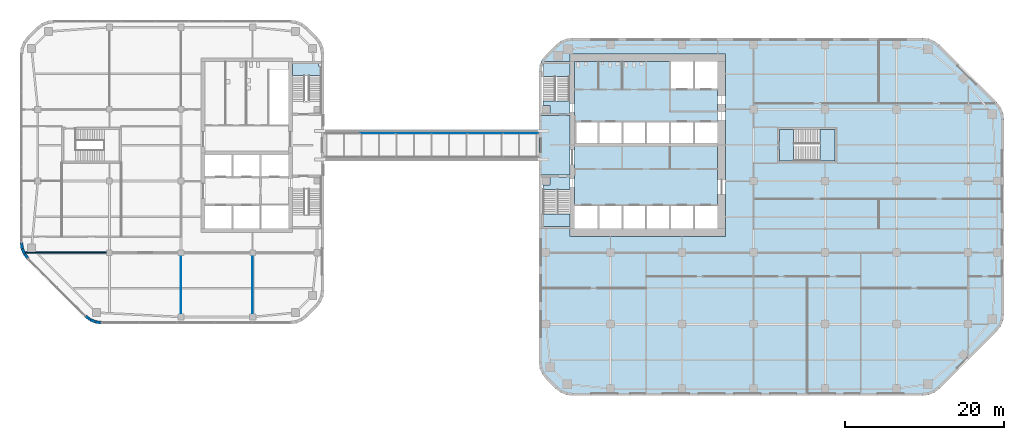
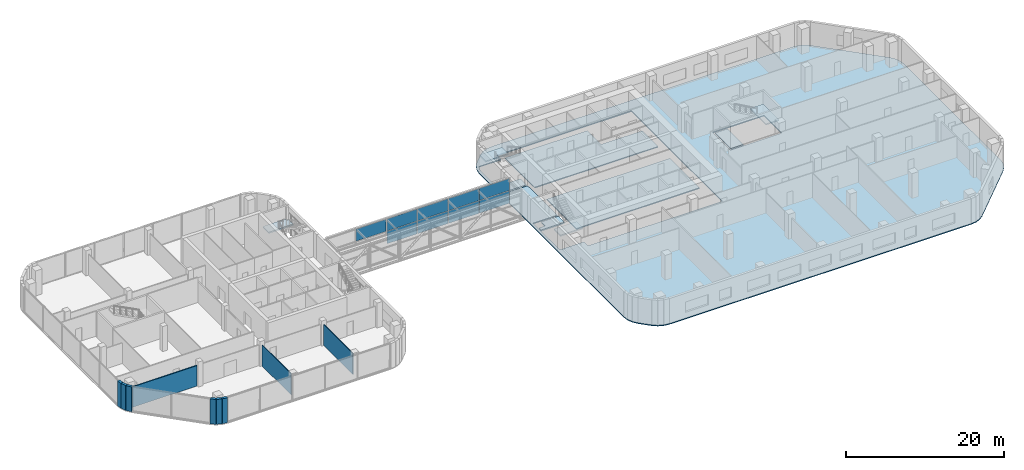
# One storey, part 14 of 24: 10 slabs, 9 plates, 9 walls, 7 elements without a shape of their own.
"""IFC4 building model written with IfcOpenShell, lengths in metres."""

from ifc_helpers import new_model, si_unit, direction, frame, frame_2d, origin, origin_2d, place, context, subcontext, project, spatial, polyline, rectangle, outline, extrude, material, layer, layer_set, type_object, element, aggregate, save


model = new_model("IFC4")

# Units and contexts
model_context = context("Model", 3, precision=1e-05, world=origin(), true_north=direction((0.0, 1.0)))
body_context = subcontext(model_context, "Body", "Model", "MODEL_VIEW")
ifc_project = project(units=[si_unit("LENGTHUNIT", "METRE"), si_unit("AREAUNIT", "SQUARE_METRE"), si_unit("VOLUMEUNIT", "CUBIC_METRE"), si_unit("PLANEANGLEUNIT", "RADIAN"), si_unit("MASSUNIT", "GRAM", prefix="KILO")], contexts=[model_context])

# Site, building, storey
site_placement = place(None, origin())
site = spatial("IfcSite", under=ifc_project, at=site_placement, CompositionType="ELEMENT")
building_placement = place(site_placement, origin())
building = spatial("IfcBuilding", under=site, at=building_placement, Name="Cinnabar Reach Civic Tower", CompositionType="ELEMENT")
storey_placement = place(building_placement, frame((0.0, 0.0, 71.0)))
storey = spatial("IfcBuildingStorey", under=building, at=storey_placement, Name="L16", CompositionType="ELEMENT", Elevation=71.0)

# Curtain wall, plate
ifc_material_1 = material(Name="Aluminium and insulated spandrel panels", Category="aluminium")
curtain_wall_type = type_object("IfcCurtainWallType", Name="Bridge 1 enclosure curtain wall", PredefinedType="NOTDEFINED", material=ifc_material_1)
curtain_wall_1_placement = place(storey_placement, origin())
curtain_wall_1 = element("IfcCurtainWall", 1, at=curtain_wall_1_placement, inside=storey, type_object=curtain_wall_type, Name="Bridge 1 enclosure 4", PredefinedType="NOTDEFINED")
ifc_material_2 = material(Name="Aluminium-faced insulated opaque spandrel panel", Category="aluminium")
ifc_layer_1 = layer(ifc_material_2, 0.028)
ifc_layer_set_1 = layer_set([ifc_layer_1], Name="Bridge 1 enclosure spandrel panel")
plate_type = type_object("IfcPlateType", Name="Bridge 1 enclosure spandrel panel", PredefinedType="USERDEFINED", material=ifc_layer_set_1)
plate_1_placement = place(storey_placement, frame((-20.265, 33.0, 2.03), z_axis=(0.0, 0.0, 1.0), x_axis=(1.0, 0.0, 0.0)))
plate_1 = element("IfcPlate", 2, at=plate_1_placement, type_object=plate_type, Name="CW-BR1-4 panel 2.2", ObjectType="SPANDREL PANEL", PredefinedType="USERDEFINED", context=body_context, shape_type="SweptSolid", body=[
    extrude(rectangle(XDim=4.41, YDim=0.028, at=origin_2d()), origin(), (0.0, 0.0, 1.0), 1.86),
])
aggregate(curtain_wall_1, [plate_1])

# Curtain wall, plates
curtain_wall_2_placement = place(storey_placement, origin())
curtain_wall_2 = element("IfcCurtainWall", 3, at=curtain_wall_2_placement, inside=storey, type_object=curtain_wall_type, Name="Bridge 1 enclosure 5", PredefinedType="NOTDEFINED")
plate_2_placement = place(storey_placement, frame((-15.735, 33.0, 0.06), z_axis=(0.0, 0.0, 1.0), x_axis=(1.0, 0.0, 0.0)))
plate_2 = element("IfcPlate", 4, at=plate_2_placement, type_object=plate_type, Name="CW-BR1-5 panel 1.1", ObjectType="SPANDREL PANEL", PredefinedType="USERDEFINED", context=body_context, shape_type="SweptSolid", body=[
    extrude(rectangle(XDim=4.41, YDim=0.028, at=origin_2d()), origin(), (0.0, 0.0, 1.0), 1.91),
])
plate_3_placement = place(storey_placement, frame((-15.735, 33.0, 2.03), z_axis=(0.0, 0.0, 1.0), x_axis=(1.0, 0.0, 0.0)))
plate_3 = element("IfcPlate", 5, at=plate_3_placement, type_object=plate_type, Name="CW-BR1-5 panel 1.2", ObjectType="SPANDREL PANEL", PredefinedType="USERDEFINED", context=body_context, shape_type="SweptSolid", body=[
    extrude(rectangle(XDim=4.41, YDim=0.028, at=origin_2d()), origin(), (0.0, 0.0, 1.0), 1.86),
])
plate_4_placement = place(storey_placement, frame((-11.265, 33.0, 0.06), z_axis=(0.0, 0.0, 1.0), x_axis=(1.0, 0.0, 0.0)))
plate_4 = element("IfcPlate", 6, at=plate_4_placement, type_object=plate_type, Name="CW-BR1-5 panel 2.1", ObjectType="SPANDREL PANEL", PredefinedType="USERDEFINED", context=body_context, shape_type="SweptSolid", body=[
    extrude(rectangle(XDim=4.41, YDim=0.028, at=origin_2d()), origin(), (0.0, 0.0, 1.0), 1.91),
])
plate_5_placement = place(storey_placement, frame((-11.265, 33.0, 2.03), z_axis=(0.0, 0.0, 1.0), x_axis=(1.0, 0.0, 0.0)))
plate_5 = element("IfcPlate", 7, at=plate_5_placement, type_object=plate_type, Name="CW-BR1-5 panel 2.2", ObjectType="SPANDREL PANEL", PredefinedType="USERDEFINED", context=body_context, shape_type="SweptSolid", body=[
    extrude(rectangle(XDim=4.41, YDim=0.028, at=origin_2d()), origin(), (0.0, 0.0, 1.0), 1.86),
])
aggregate(curtain_wall_2, [plate_2, plate_3, plate_4, plate_5])

curtain_wall_3_placement = place(storey_placement, origin())
curtain_wall_3 = element("IfcCurtainWall", 8, at=curtain_wall_3_placement, inside=storey, type_object=curtain_wall_type, Name="Bridge 1 enclosure 6", PredefinedType="NOTDEFINED")
plate_6_placement = place(storey_placement, frame((-6.735, 33.0, 0.06), z_axis=(0.0, 0.0, 1.0), x_axis=(1.0, 0.0, 0.0)))
plate_6 = element("IfcPlate", 9, at=plate_6_placement, type_object=plate_type, Name="CW-BR1-6 panel 1.1", ObjectType="SPANDREL PANEL", PredefinedType="USERDEFINED", context=body_context, shape_type="SweptSolid", body=[
    extrude(rectangle(XDim=4.41, YDim=0.028, at=origin_2d()), origin(), (0.0, 0.0, 1.0), 1.91),
])
plate_7_placement = place(storey_placement, frame((-6.735, 33.0, 2.03), z_axis=(0.0, 0.0, 1.0), x_axis=(1.0, 0.0, 0.0)))
plate_7 = element("IfcPlate", 10, at=plate_7_placement, type_object=plate_type, Name="CW-BR1-6 panel 1.2", ObjectType="SPANDREL PANEL", PredefinedType="USERDEFINED", context=body_context, shape_type="SweptSolid", body=[
    extrude(rectangle(XDim=4.41, YDim=0.028, at=origin_2d()), origin(), (0.0, 0.0, 1.0), 1.86),
])
plate_8_placement = place(storey_placement, frame((-2.265, 33.0, 0.06), z_axis=(0.0, 0.0, 1.0), x_axis=(1.0, 0.0, 0.0)))
plate_8 = element("IfcPlate", 11, at=plate_8_placement, type_object=plate_type, Name="CW-BR1-6 panel 2.1", ObjectType="SPANDREL PANEL", PredefinedType="USERDEFINED", context=body_context, shape_type="SweptSolid", body=[
    extrude(rectangle(XDim=4.41, YDim=0.028, at=origin_2d()), origin(), (0.0, 0.0, 1.0), 1.91),
])
plate_9_placement = place(storey_placement, frame((-2.265, 33.0, 2.03), z_axis=(0.0, 0.0, 1.0), x_axis=(1.0, 0.0, 0.0)))
plate_9 = element("IfcPlate", 12, at=plate_9_placement, type_object=plate_type, Name="CW-BR1-6 panel 2.2", ObjectType="SPANDREL PANEL", PredefinedType="USERDEFINED", context=body_context, shape_type="SweptSolid", body=[
    extrude(rectangle(XDim=4.41, YDim=0.028, at=origin_2d()), origin(), (0.0, 0.0, 1.0), 1.86),
])
aggregate(curtain_wall_3, [plate_6, plate_7, plate_8, plate_9])

# Slab
ifc_material_3 = material(Name="Concrete C40", Category="concrete")
ifc_layer_2 = layer(ifc_material_3, 0.15)
ifc_layer_set_2 = layer_set([ifc_layer_2], Name="Composite floor slab 150 REI 150")
slab_type_1 = type_object("IfcSlabType", Name="Composite floor slab 150 REI 150", PredefinedType="FLOOR", material=ifc_layer_set_2)
slab_1_placement = place(storey_placement, frame((0.0, 0.0, -0.15)))
element("IfcSlab", 13, at=slab_1_placement, inside=storey, type_object=slab_type_1, Name="Composite floor slab 150 T1 L16", PredefinedType="FLOOR", context=body_context, shape_type="SweptSolid", body=[
    extrude(outline(polyline([(0.8787, 2.1213), (0.4019, 2.7426), (0.1022, 3.4662), (0.0, 4.2426), (0.0, 40.7574), (0.1022, 41.5338), (0.4019, 42.2574), (0.8787, 42.8787), (2.1213, 44.1213), (2.7426, 44.5981), (3.4662, 44.8978), (4.2426, 45.0), (48.2574, 45.0), (49.0338, 44.8978), (49.7574, 44.5981), (50.3787, 44.1213), (57.6213, 36.8787), (58.0981, 36.2574), (58.3978, 35.5338), (58.5, 34.7574), (58.5, 10.2426), (58.3978, 9.4662), (58.0981, 8.7426), (57.6213, 8.1213), (50.3787, 0.8787), (49.7574, 0.4019), (49.0338, 0.1022), (48.2574, 0.0), (4.2426, 0.0), (3.4662, 0.1022), (2.7426, 0.4019), (2.1213, 0.8787), (0.8787, 2.1213)]), holes=[polyline([(0.36, 21.0), (3.9, 21.0), (3.9, 20.0), (23.5, 20.0), (23.5, 43.0), (3.9, 43.0), (3.9, 42.0), (0.685, 42.0), (0.453, 41.4398), (0.36, 40.7338), (0.36, 35.25), (3.9, 35.25), (3.9, 27.75), (0.36, 27.75), (0.36, 21.0)]), polyline([(30.0, 33.75), (30.0, 29.25), (37.5, 29.25), (37.5, 33.75), (30.0, 33.75)])]), origin(), (0.0, 0.0, 1.0), 0.15),
])

# Stair, slabs
ifc_material_4 = material(Name="Concrete C40/50", Category="concrete")
stair_type_1 = type_object("IfcStairType", Name="T1 Exit stair, half-turn", PredefinedType="HALF_TURN_STAIR", material=ifc_material_4)
stair_1_placement = place(storey_placement, origin())
stair_1 = element("IfcStair", 14, at=stair_1_placement, inside=storey, type_object=stair_type_1, Name="Stair T1-S1", PredefinedType="HALF_TURN_STAIR")
ifc_layer_3 = layer(ifc_material_4, 0.2)
ifc_layer_set_3 = layer_set([ifc_layer_3], Name="T1 Stair landing 200, Concrete C40/50")
slab_type_2 = type_object("IfcSlabType", Name="T1 Stair landing 200, Concrete C40/50", PredefinedType="LANDING", material=ifc_layer_set_3)
slab_2_placement = place(storey_placement, frame((0.0, 0.0, -0.2)))
slab_2 = element("IfcSlab", 15, at=slab_2_placement, type_object=slab_type_2, Name="T1-S1 landing 1", PredefinedType="LANDING", context=body_context, shape_type="SweptSolid", body=[
    extrude(outline(polyline([(3.9, 27.5), (3.9, 25.95), (0.5, 25.95), (0.5, 26.5), (1.4, 26.5), (1.4, 27.5), (3.9, 27.5)])), origin(), (0.0, 0.0, 1.0), 0.2),
])
slab_3_placement = place(storey_placement, frame((0.0, 0.0, 1.8)))
slab_3 = element("IfcSlab", 16, at=slab_3_placement, type_object=slab_type_2, Name="T1-S1 landing 2", PredefinedType="LANDING", context=body_context, shape_type="SweptSolid", body=[
    extrude(outline(polyline([(0.6, 21.25), (0.6, 22.87), (3.9, 22.87), (3.9, 21.25), (0.6, 21.25)])), origin(), (0.0, 0.0, 1.0), 0.2),
])
aggregate(stair_1, [slab_2, slab_3])

stair_2_placement = place(storey_placement, origin())
stair_2 = element("IfcStair", 17, at=stair_2_placement, inside=storey, type_object=stair_type_1, Name="Stair T1-S2", PredefinedType="HALF_TURN_STAIR")
slab_4_placement = place(storey_placement, frame((0.0, 0.0, -0.2)))
slab_4 = element("IfcSlab", 18, at=slab_4_placement, type_object=slab_type_2, Name="T1-S2 landing 1", PredefinedType="LANDING", context=body_context, shape_type="SweptSolid", body=[
    extrude(outline(polyline([(0.5, 37.05), (3.9, 37.05), (3.9, 35.5), (1.4, 35.5), (1.4, 36.5), (0.5, 36.5), (0.5, 37.05)])), origin(), (0.0, 0.0, 1.0), 0.2),
])
slab_5_placement = place(storey_placement, frame((0.0, 0.0, 1.8)))
slab_5 = element("IfcSlab", 19, at=slab_5_placement, type_object=slab_type_2, Name="T1-S2 landing 2", PredefinedType="LANDING", context=body_context, shape_type="SweptSolid", body=[
    extrude(outline(polyline([(0.6, 40.13), (0.6, 41.75), (3.9, 41.75), (3.9, 40.13), (0.6, 40.13)])), origin(), (0.0, 0.0, 1.0), 0.2),
])
aggregate(stair_2, [slab_4, slab_5])

stair_3_placement = place(storey_placement, origin())
stair_3 = element("IfcStair", 20, at=stair_3_placement, inside=storey, type_object=stair_type_1, Name="Stair T1-S3", PredefinedType="HALF_TURN_STAIR")
slab_6_placement = place(storey_placement, frame((0.0, 0.0, -0.2)))
slab_6 = element("IfcSlab", 21, at=slab_6_placement, type_object=slab_type_2, Name="T1-S3 landing 1", PredefinedType="LANDING", context=body_context, shape_type="SweptSolid", body=[
    extrude(outline(polyline([(30.25, 29.5), (32.05, 29.5), (32.05, 33.5), (30.25, 33.5), (30.25, 29.5)])), origin(), (0.0, 0.0, 1.0), 0.2),
])
slab_7_placement = place(storey_placement, frame((0.0, 0.0, 1.8)))
slab_7 = element("IfcSlab", 22, at=slab_7_placement, type_object=slab_type_2, Name="T1-S3 landing 2", PredefinedType="LANDING", context=body_context, shape_type="SweptSolid", body=[
    extrude(outline(polyline([(35.35, 29.5), (37.25, 29.5), (37.25, 33.5), (35.35, 33.5), (35.35, 29.5)])), origin(), (0.0, 0.0, 1.0), 0.2),
])
aggregate(stair_3, [slab_6, slab_7])

# Slabs
ifc_layer_4 = layer(ifc_material_4, 0.15)
ifc_layer_set_4 = layer_set([ifc_layer_4], Name="T1 core floor slab 150")
slab_type_3 = type_object("IfcSlabType", Name="T1 core floor slab 150", PredefinedType="FLOOR", material=ifc_layer_set_4)
slab_8_placement = place(storey_placement, frame((0.0, 0.0, -0.15)))
element("IfcSlab", 23, at=slab_8_placement, inside=storey, type_object=slab_type_3, Name="Core floor slab L16", PredefinedType="FLOOR", context=body_context, shape_type="SweptSolid", body=[
    extrude(outline(polyline([(22.5, 24.0), (19.5, 24.0), (16.5, 24.0), (13.5, 24.0), (10.5, 24.0), (7.5, 24.0), (4.5, 24.0), (4.5, 31.5), (7.5, 31.5), (10.5, 31.5), (13.5, 31.5), (16.5, 31.5), (19.5, 31.5), (22.5, 31.5), (22.5, 24.0)])), origin(), (0.0, 0.0, 1.0), 0.15),
])
slab_9_placement = place(storey_placement, frame((0.0, 0.0, -0.15)))
element("IfcSlab", 24, at=slab_9_placement, inside=storey, type_object=slab_type_3, Name="Core floor slab L16", PredefinedType="FLOOR", context=body_context, shape_type="SweptSolid", body=[
    extrude(outline(polyline([(22.5, 34.5), (19.5, 34.5), (16.5, 34.5), (13.5, 34.5), (10.5, 34.5), (7.5, 34.5), (4.5, 34.5), (4.5, 42.0), (16.5, 42.0), (16.5, 38.5), (19.5, 38.5), (22.5, 38.5), (22.5, 34.5)])), origin(), (0.0, 0.0, 1.0), 0.15),
])

# Stair, slab
stair_type_2 = type_object("IfcStairType", Name="T2 Exit stair 1500", PredefinedType="HALF_TURN_STAIR", material=ifc_material_3)
stair_4_placement = place(storey_placement, origin())
stair_4 = element("IfcStair", 25, at=stair_4_placement, inside=storey, type_object=stair_type_2, Name="Exit stair 2", PredefinedType="HALF_TURN_STAIR")
ifc_layer_5 = layer(ifc_material_3, 0.2)
ifc_layer_set_5 = layer_set([ifc_layer_5], Name="T2 Stair landing 200")
slab_type_4 = type_object("IfcSlabType", Name="T2 Stair landing 200", PredefinedType="LANDING", material=ifc_layer_set_5)
slab_10_placement = place(storey_placement, frame((0.0, 0.0, 1.8)))
slab_10 = element("IfcSlab", 26, at=slab_10_placement, type_object=slab_type_4, Name="ST2 landing 2", PredefinedType="LANDING", context=body_context, shape_type="SweptSolid", body=[
    extrude(outline(polyline([(-27.4, 40.25), (-31.0, 40.25), (-31.0, 41.75), (-27.7, 41.75), (-27.7, 41.45), (-27.4, 41.45), (-27.4, 40.25)])), origin(), (0.0, 0.0, 1.0), 0.2),
])
aggregate(stair_4, [slab_10])

# Walls
ifc_material_5 = material(Name="Facing brick with insulated backing", Category="masonry")
ifc_layer_6 = layer(ifc_material_5, 0.36)
ifc_layer_set_6 = layer_set([ifc_layer_6], Name="Brick corner wall")
wall_type_1 = type_object("IfcWallType", Name="Brick corner wall", PredefinedType="STANDARD", material=ifc_layer_set_6)
for number, where, z_axis, x_axis, name in (
    (27, (-65.067, 19.2314, 0.0), (0.0, 0.0, 1.0), (0.13055608231, -0.99144092581, 0.0), "Brick corner wall"),
    (28, (-64.9681, 18.5027, 0.0), (0.0, 0.0, 1.0), (0.382702709855, -0.923871547278, 0.0), "Brick corner wall"),
):
    element("IfcWall", number, at=place(storey_placement, frame(where, z_axis=z_axis, x_axis=x_axis)), inside=storey, type_object=wall_type_1, Name=name, PredefinedType="STANDARD", context=body_context, shape_type="SweptSolid", body=[
        extrude(rectangle(XDim=0.7131, YDim=0.36, at=frame_2d((0.3565, 0.0))), origin(), (0.0, 0.0, 1.0), 3.85),
    ])
for number, where, z_axis, x_axis, name in (
    (29, (-64.684, 17.8245, 0.0), (0.0, 0.0, 1.0), (0.608802368033, -0.793321924995, 0.0), "Brick corner wall"),
    (30, (-56.9913, 10.0002, 0.0), (0.0, 0.0, 1.0), (0.793321924995, -0.608802368033, 0.0), "Brick corner wall"),
):
    element("IfcWall", number, at=place(storey_placement, frame(where, z_axis=z_axis, x_axis=x_axis)), inside=storey, type_object=wall_type_1, Name=name, PredefinedType="STANDARD", context=body_context, shape_type="SweptSolid", body=[
        extrude(rectangle(XDim=0.7132, YDim=0.36, at=frame_2d((0.3566, 0.0))), origin(), (0.0, 0.0, 1.0), 3.85),
    ])
for number, where, z_axis, x_axis, name in (
    (31, (-56.4061, 9.5548, 0.0), (0.0, 0.0, 1.0), (0.923871547278, -0.382702709855, 0.0), "Brick corner wall"),
    (32, (-55.7256, 9.2761, 0.0), (0.0, 0.0, 1.0), (0.99144092581, -0.13055608231, 0.0), "Brick corner wall"),
):
    element("IfcWall", number, at=place(storey_placement, frame(where, z_axis=z_axis, x_axis=x_axis)), inside=storey, type_object=wall_type_1, Name=name, PredefinedType="STANDARD", context=body_context, shape_type="SweptSolid", body=[
        extrude(rectangle(XDim=0.7131, YDim=0.36, at=frame_2d((0.3565, 0.0))), origin(), (0.0, 0.0, 1.0), 3.85),
    ])
ifc_material_6 = material(Name="Gypsum board on steel studs, double layer", Category="steel")
ifc_layer_7 = layer(ifc_material_6, 0.15)
ifc_layer_set_7 = layer_set([ifc_layer_7], Name="Corridor wall 150 T2")
wall_type_2 = type_object("IfcWallType", Name="Corridor wall 150 T2", PredefinedType="PARTITIONING", material=ifc_layer_set_7)
wall_placement = place(storey_placement, frame((-64.5961, 18.0, 0.0), z_axis=(0.0, 0.0, 1.0), x_axis=(1.0, 0.0, 0.0)))
element("IfcWall", 33, at=wall_placement, inside=storey, type_object=wall_type_2, Name="Corridor wall 4", PredefinedType="PARTITIONING", context=body_context, shape_type="SweptSolid", body=[
    extrude(rectangle(XDim=10.2461, YDim=0.15, at=frame_2d((5.1231, 0.0))), origin(), (0.0, 0.0, 1.0), 3.158),
])
ifc_material_7 = material(Name="Gypsum board on steel studs", Category="steel")
ifc_layer_8 = layer(ifc_material_7, 0.1)
ifc_layer_set_8 = layer_set([ifc_layer_8], Name="Partition wall 100 T2")
wall_type_3 = type_object("IfcWallType", Name="Partition wall 100 T2", PredefinedType="PARTITIONING", material=ifc_layer_set_8)
for number, where, z_axis, x_axis, name in (
    (34, (-45.0, 10.3, 0.0), (0.0, 0.0, 1.0), (0.0, 1.0, 0.0), "Partition wall 18"),
    (35, (-36.0, 10.3, 0.0), (0.0, 0.0, 1.0), (0.0, 1.0, 0.0), "Partition wall 19"),
):
    element("IfcWall", number, at=place(storey_placement, frame(where, z_axis=z_axis, x_axis=x_axis)), inside=storey, type_object=wall_type_3, Name=name, PredefinedType="PARTITIONING", context=body_context, shape_type="SweptSolid", body=[
        extrude(rectangle(XDim=7.35, YDim=0.1, at=frame_2d((3.675, 0.0))), origin(), (0.0, 0.0, 1.0), 3.256),
    ])

save(model, "model.ifc")
